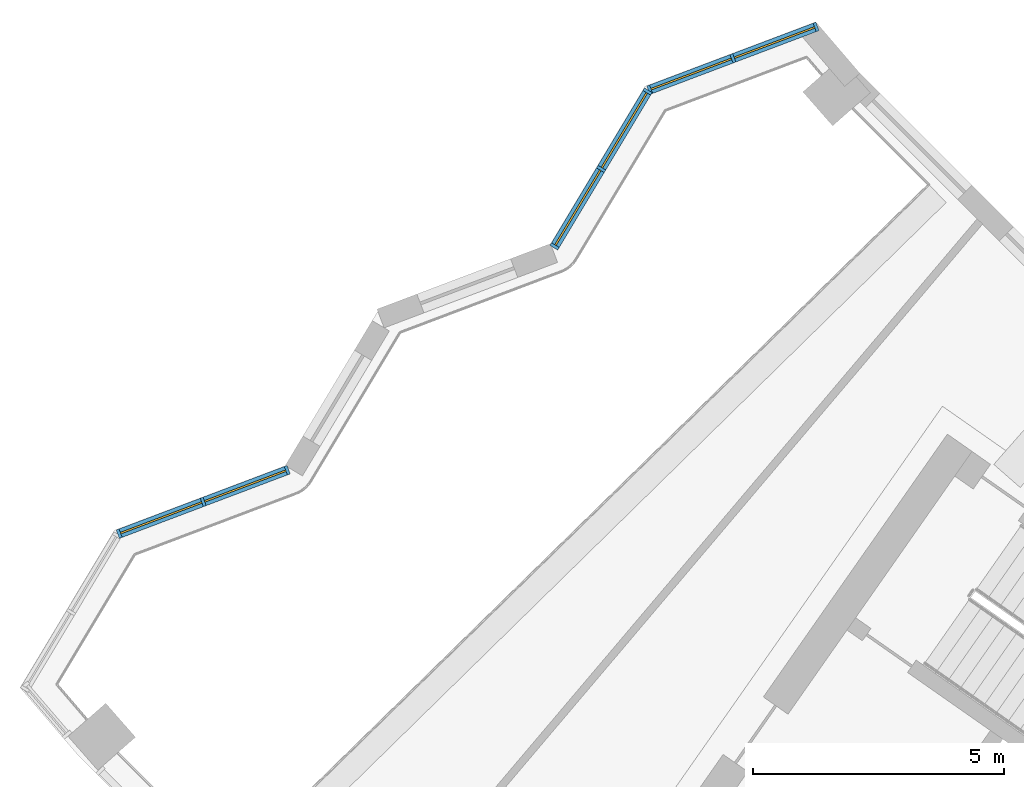
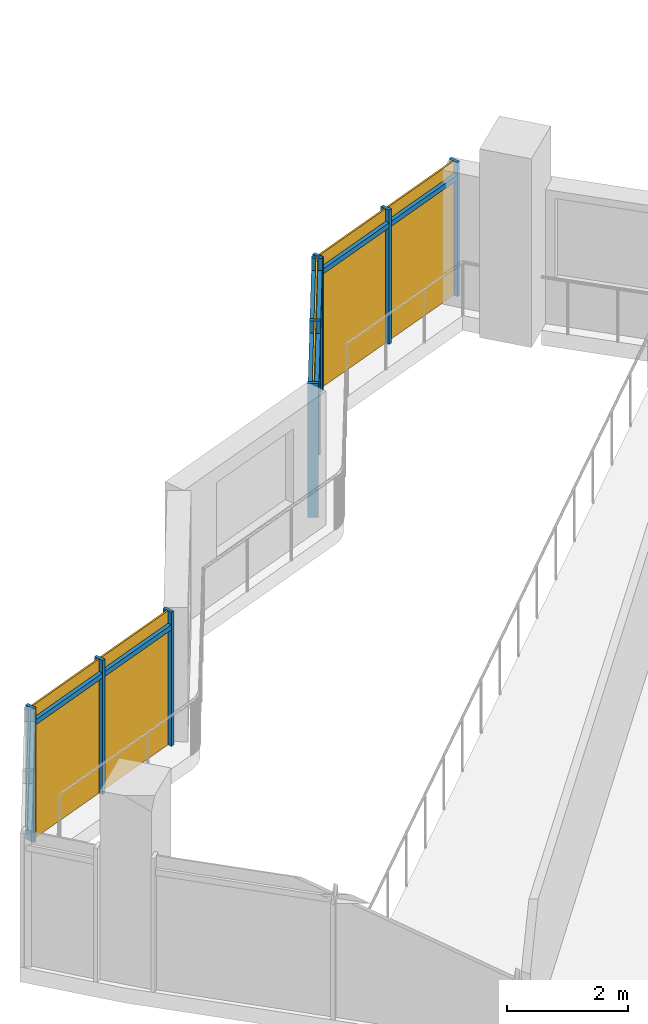
# One storey, part 20 of 29: 15 members, 3 curtain walls.
"""IFC4 building model written with IfcOpenShell, lengths in metres."""

import ifcopenshell
import ifcopenshell.guid

model = None  # the IFC model being written
_history = None  # IfcOwnerHistory: only IFC2X3 demands one
_inside = {}  # id of a spatial element -> (the spatial element, [elements in it])
_under = {}  # id of a project, library or spatial element -> (it, [spatial elements below it])
_declared = {}  # id of a project -> (the project, [libraries it declares])
_typed = {}  # id of a type object -> (the type object, [elements of that type])
_made_of = {}  # id of a material, layer set ... -> (it, [elements and type objects made of it])


def new_model(schema):
    """Start an empty IFC model of exactly this schema.

    Asked for "IFC4X3", IfcOpenShell would pick the latest addendum, in which some entities
    have other attributes; the version numbers below select the first issue.
    IFC2X3 requires an IfcOwnerHistory on every rooted entity: one is made here for all.
    """
    global model, _history
    if schema == "IFC4X3":
        model = ifcopenshell.file(schema_version=(4, 3, 0, 0))
    else:
        model = ifcopenshell.file(schema=schema)
    _inside.clear()
    _under.clear()
    _declared.clear()
    _typed.clear()
    _made_of.clear()
    _history = None
    if model.schema == "IFC2X3":
        org = make("IfcOrganization", Name="unknown")
        user = make(
            "IfcPersonAndOrganization",
            ThePerson=make("IfcPerson", FamilyName="unknown"),
            TheOrganization=org,
        )
        app = make(
            "IfcApplication",
            ApplicationDeveloper=org,
            Version="unknown",
            ApplicationFullName="unknown",
            ApplicationIdentifier="unknown",
        )
        _history = make(
            "IfcOwnerHistory",
            OwningUser=user,
            OwningApplication=app,
            ChangeAction="ADDED",
            CreationDate=0,
        )
    return model


def make(cls, **values):
    """One entity of the class cls with the attributes given. An attribute that is None is left unset."""
    return model.create_entity(
        cls, **{name: value for name, value in values.items() if value is not None}
    )


def rooted(cls, **values):
    """An entity with a GlobalId (a new one), such as an element, a storey or a relation."""
    return make(cls, GlobalId=ifcopenshell.guid.new(), OwnerHistory=_history, **values)


def si_unit(unit_type, name, prefix=None):
    """IfcSIUnit, for example si_unit("LENGTHUNIT", "METRE", prefix="MILLI")."""
    return make("IfcSIUnit", UnitType=unit_type, Prefix=prefix, Name=name)


def assignment(units):
    """IfcUnitAssignment: the units of a project."""
    return None if units is None else make("IfcUnitAssignment", Units=units)


def point(xyz):
    """IfcCartesianPoint."""
    return None if xyz is None else make("IfcCartesianPoint", Coordinates=xyz)


def direction(xyz):
    """IfcDirection."""
    return None if xyz is None else make("IfcDirection", DirectionRatios=xyz)


def frame(location, z_axis=None, x_axis=None):
    """IfcAxis2Placement3D, a coordinate frame: its origin and axes. An axis left out is left unset."""
    return make(
        "IfcAxis2Placement3D",
        Location=point(location),
        Axis=direction(z_axis),
        RefDirection=direction(x_axis),
    )


def frame_2d(location, x_axis=None):
    """IfcAxis2Placement2D, a coordinate frame in the plane: its origin and x axis."""
    return make(
        "IfcAxis2Placement2D", Location=point(location), RefDirection=direction(x_axis)
    )


def origin():
    """The frame at (0, 0, 0) with its axes left unset."""
    return frame((0.0, 0.0, 0.0))


def origin_2d():
    """The frame at (0, 0) in the plane with its x axis left unset."""
    return frame_2d((0.0, 0.0))


def place(relative_to, where):
    """IfcLocalPlacement: puts the frame where relative to a parent placement (None: the world)."""
    return make(
        "IfcLocalPlacement", PlacementRelTo=relative_to, RelativePlacement=where
    )


def context(
    kind, dimensions, precision=None, world=None, true_north=None, identifier=None
):
    """IfcGeometricRepresentationContext, for example the 3D "Model" context."""
    return make(
        "IfcGeometricRepresentationContext",
        ContextIdentifier=identifier,
        ContextType=kind,
        CoordinateSpaceDimension=dimensions,
        Precision=precision,
        WorldCoordinateSystem=world,
        TrueNorth=true_north,
    )


def subcontext(parent, identifier, kind, view, scale=None):
    """IfcGeometricRepresentationSubContext, for example "Body" below "Model"."""
    return make(
        "IfcGeometricRepresentationSubContext",
        ContextIdentifier=identifier,
        ContextType=kind,
        ParentContext=parent,
        TargetScale=scale,
        TargetView=view,
    )


def project(units=None, contexts=None):
    """IfcProject with its units and contexts."""
    return rooted(
        "IfcProject",
        Name="project",
        RepresentationContexts=contexts,
        UnitsInContext=assignment(units),
    )


def spatial(cls, under=None, at=None, **own):
    """A site, building, storey or space (cls), placed at a placement, below another one or the project."""
    s = rooted(cls, ObjectPlacement=at, **own)
    if under is not None:
        _under.setdefault(under.id(), (under, []))[1].append(s)
    return s


def profile(cls, at=None, kind="AREA", **sizes):
    """A parametric profile (cls). Its sizes go by their IFC names, for example OverallWidth=200.0."""
    return make(cls, ProfileType=kind, Position=at, **sizes)


def rectangle(**sizes):
    """IfcRectangleProfileDef."""
    return profile("IfcRectangleProfileDef", **sizes)


def extrude(swept, where, along, depth):
    """IfcExtrudedAreaSolid: the profile swept, set in the frame where, extruded along a direction by depth."""
    return make(
        "IfcExtrudedAreaSolid",
        SweptArea=swept,
        Position=where,
        ExtrudedDirection=direction(along),
        Depth=depth,
    )


def shape(context_of_items, identifier, shape_type, items):
    """IfcShapeRepresentation: the items that make up one representation, for example the "Body"."""
    return make(
        "IfcShapeRepresentation",
        ContextOfItems=context_of_items,
        RepresentationIdentifier=identifier,
        RepresentationType=shape_type,
        Items=items,
    )


def material(Name=None, Category=None):
    """IfcMaterial."""
    return make("IfcMaterial", Name=Name, Category=Category)


def material_profile(
    of_material, cross_section, Name=None, Category=None, Priority=None
):
    """IfcMaterialProfile: a cross section and its material."""
    return make(
        "IfcMaterialProfile",
        Name=Name,
        Material=of_material,
        Profile=cross_section,
        Priority=Priority,
        Category=Category,
    )


def profile_set(profiles, Name=None, composite=None):
    """IfcMaterialProfileSet."""
    return make(
        "IfcMaterialProfileSet",
        Name=Name,
        MaterialProfiles=profiles,
        CompositeProfile=composite,
    )


def made_of(thing, what):
    """Note that an element or type object is made of a material, layer set ...; save() writes the relation."""
    if what is not None:
        _made_of.setdefault(what.id(), (what, []))[1].append(thing)
    return thing


def type_object(cls, material=None, **own):
    """A type object (cls), such as IfcWallType, which elements share."""
    return made_of(rooted(cls, **own), material)


def element(
    cls,
    number,
    at=None,
    inside=None,
    cuts=None,
    type_object=None,
    material=None,
    context=None,
    identifier="Body",
    shape_type=None,
    held_by="IfcProductDefinitionShape",
    body=None,
    shapes=None,
    **own,
):
    """One element of the class cls, such as IfcWall. Its Tag is "e" and its number.

    at: its placement. inside: the storey or other place that contains it. cuts: it is an
    opening in that element (IfcRelVoidsElement). A single representation is given by context,
    identifier, shape_type and body (its items); several are given by shapes. held_by: the class
    of the entity that holds the representations. save() writes the other relations.
    """
    e = rooted(cls, Tag="e%d" % number, ObjectPlacement=at, **own)
    if body is not None:
        shapes = [shape(context, identifier, shape_type, body)]
    if shapes is not None:
        e.Representation = make(held_by, Representations=shapes)
    if inside is not None:
        _inside.setdefault(inside.id(), (inside, []))[1].append(e)
    if cuts is not None:
        rooted(
            "IfcRelVoidsElement", RelatingBuildingElement=cuts, RelatedOpeningElement=e
        )
    if type_object is not None:
        _typed.setdefault(type_object.id(), (type_object, []))[1].append(e)
    return made_of(e, material)


def aggregate(whole, parts):
    """IfcRelAggregates: a whole, such as a stair, and the parts it consists of."""
    return rooted("IfcRelAggregates", RelatingObject=whole, RelatedObjects=parts)


def save(model, path):
    """Write the relations noted so far, then the file.

    IfcRelAggregates (storeys below a building ...), IfcRelContainedInSpatialStructure (elements
    in a storey), IfcRelDefinesByType, IfcRelAssociatesMaterial and IfcRelDeclares: one each for
    every whole, place, type object, material and project.
    """
    for whole, parts in _under.values():
        aggregate(whole, parts)
    for where, things in _inside.values():
        rooted(
            "IfcRelContainedInSpatialStructure",
            RelatedElements=things,
            RelatingStructure=where,
        )
    for kind, things in _typed.values():
        rooted("IfcRelDefinesByType", RelatedObjects=things, RelatingType=kind)
    for what, things in _made_of.values():
        rooted("IfcRelAssociatesMaterial", RelatedObjects=things, RelatingMaterial=what)
    for by, libraries in _declared.values():
        rooted("IfcRelDeclares", RelatingContext=by, RelatedDefinitions=libraries)
    model.write(path)


model = new_model("IFC4")

# Units and contexts
model_context = context("Model", 3, precision=1e-05, world=origin(), true_north=direction((0.0, 1.0)))
body_context = subcontext(model_context, "Body", "Model", "MODEL_VIEW")
ifc_project = project(units=[si_unit("LENGTHUNIT", "METRE"), si_unit("AREAUNIT", "SQUARE_METRE"), si_unit("VOLUMEUNIT", "CUBIC_METRE"), si_unit("PLANEANGLEUNIT", "RADIAN"), si_unit("MASSUNIT", "GRAM", prefix="KILO")], contexts=[model_context])

# Member
ifc_material = material(Name="Aluminium 6063-T6 anodised", Category="aluminium")
ifc_material_profile_1 = material_profile(ifc_material, rectangle(XDim=0.179931640625, YDim=0.06005859375, at=origin_2d()))
ifc_profile_set_1 = profile_set([ifc_material_profile_1], Name="Aluminium 6063-T6 anodised")
member_type_1 = type_object("IfcMemberType", Name="Mullion 60 x 180 aluminium, garden", PredefinedType="MULLION", material=ifc_profile_set_1)
site_placement = place(None, origin())
building_placement = place(site_placement, origin())
storey_placement = place(building_placement, frame((0.0, 0.0, 261.89990234375)))
member_1_placement = place(storey_placement, frame((-44.20458984375, -37.10205078125, 0.0), z_axis=(0.0, 0.0, 1.0), x_axis=(0.353227368323, -0.935537506606, 0.0)))
member_1 = element("IfcMember", 1, at=member_1_placement, type_object=member_type_1, Name="e-cw4-L63-capW0/M00", PredefinedType="MULLION", context=body_context, shape_type="SweptSolid", body=[
    extrude(rectangle(XDim=0.179931640625, YDim=0.06005859375, at=origin_2d()), origin(), (0.0, 0.0, 1.0), 2.7001953125),
])

member_2_placement = place(storey_placement, frame((-45.86376953125, -37.728271484375, 0.0), z_axis=(0.0, 0.0, 1.0), x_axis=(0.353227368323, -0.935537506606, 0.0)))
member_2 = element("IfcMember", 2, at=member_2_placement, type_object=member_type_1, Name="e-cw4-L63-capW0/M01", PredefinedType="MULLION", context=body_context, shape_type="SweptSolid", body=[
    extrude(rectangle(XDim=0.179931640625, YDim=0.06005859375, at=origin_2d()), origin(), (0.0, 0.0, 1.0), 2.7001953125),
])

member_3_placement = place(storey_placement, frame((-47.522705078125, -38.354736328125, 0.0), z_axis=(0.0, 0.0, 1.0), x_axis=(0.353227368323, -0.935537506606, 0.0)))
member_3 = element("IfcMember", 3, at=member_3_placement, type_object=member_type_1, Name="e-cw4-L63-capW0/M02", PredefinedType="MULLION", context=body_context, shape_type="SweptSolid", body=[
    extrude(rectangle(XDim=0.179931640625, YDim=0.06005859375, at=origin_2d()), origin(), (0.0, 0.0, 1.0), 2.7001953125),
])

member_4_placement = place(storey_placement, frame((-47.566162109375, -38.39111328125, 0.0), z_axis=(0.0, 0.0, 1.0), x_axis=(0.85753512469, -0.514425417259, 0.0)))
member_4 = element("IfcMember", 4, at=member_4_placement, type_object=member_type_1, Name="e-cw4-L63-capW1/M00", PredefinedType="MULLION", context=body_context, shape_type="SweptSolid", body=[
    extrude(rectangle(XDim=0.179931640625, YDim=0.06005859375, at=origin_2d()), origin(), (0.0, 0.0, 1.0), 2.7001953125),
])

member_5_placement = place(storey_placement, frame((-48.4931640625, -39.936279296875, 0.0), z_axis=(0.0, 0.0, 1.0), x_axis=(0.85753512469, -0.514425417259, 0.0)))
member_5 = element("IfcMember", 5, at=member_5_placement, type_object=member_type_1, Name="e-cw4-L63-capW1/M01", PredefinedType="MULLION", context=body_context, shape_type="SweptSolid", body=[
    extrude(rectangle(XDim=0.179931640625, YDim=0.06005859375, at=origin_2d()), origin(), (0.0, 0.0, 1.0), 2.7001953125),
])

member_6_placement = place(storey_placement, frame((-49.420166015625, -41.4814453125, 0.0), z_axis=(0.0, 0.0, 1.0), x_axis=(0.85753512469, -0.514425417259, 0.0)))
member_6 = element("IfcMember", 6, at=member_6_placement, type_object=member_type_1, Name="e-cw4-L63-capW1/M02", PredefinedType="MULLION", context=body_context, shape_type="SweptSolid", body=[
    extrude(rectangle(XDim=0.179931640625, YDim=0.06005859375, at=origin_2d()), origin(), (0.0, 0.0, 1.0), 2.7001953125),
])

member_7_placement = place(storey_placement, frame((-54.75537109375, -45.946044921875, 0.0), z_axis=(0.0, 0.0, 1.0), x_axis=(0.353404777228, -0.935470503775, 0.0)))
member_7 = element("IfcMember", 7, at=member_7_placement, type_object=member_type_1, Name="e-cw4-L63-capW4/M00", PredefinedType="MULLION", context=body_context, shape_type="SweptSolid", body=[
    extrude(rectangle(XDim=0.179931640625, YDim=0.06005859375, at=origin_2d()), origin(), (0.0, 0.0, 1.0), 2.7001953125),
])

member_8_placement = place(storey_placement, frame((-56.431396484375, -46.579345703125, 0.0), z_axis=(0.0, 0.0, 1.0), x_axis=(0.353404777228, -0.935470503775, 0.0)))
member_8 = element("IfcMember", 8, at=member_8_placement, type_object=member_type_1, Name="e-cw4-L63-capW4/M01", PredefinedType="MULLION", context=body_context, shape_type="SweptSolid", body=[
    extrude(rectangle(XDim=0.179931640625, YDim=0.06005859375, at=origin_2d()), origin(), (0.0, 0.0, 1.0), 2.7001953125),
])

member_9_placement = place(storey_placement, frame((-58.107666015625, -47.21240234375, 0.0), z_axis=(0.0, 0.0, 1.0), x_axis=(0.353404777228, -0.935470503775, 0.0)))
member_9 = element("IfcMember", 9, at=member_9_placement, type_object=member_type_1, Name="e-cw4-L63-capW4/M02", PredefinedType="MULLION", context=body_context, shape_type="SweptSolid", body=[
    extrude(rectangle(XDim=0.179931640625, YDim=0.06005859375, at=origin_2d()), origin(), (0.0, 0.0, 1.0), 2.7001953125),
])

ifc_material_profile_2 = material_profile(ifc_material, rectangle(XDim=0.179931640625, YDim=0.10009765625, at=origin_2d()))
ifc_profile_set_2 = profile_set([ifc_material_profile_2], Name="Aluminium 6063-T6 anodised")
member_type_2 = type_object("IfcMemberType", Name="Transom 100 x 180 aluminium, garden", PredefinedType="USERDEFINED", material=ifc_profile_set_2)
member_10_placement = place(storey_placement, frame((-44.232666015625, -37.112548828125, 2.400146484375), z_axis=(-0.93554220832, -0.353214915386, 0.0), x_axis=(0.353214915386, -0.93554220832, 0.0)))
member_10 = element("IfcMember", 10, at=member_10_placement, type_object=member_type_2, Name="e-cw4-L63-capW0/T00", ObjectType="TRANSOM", PredefinedType="USERDEFINED", context=body_context, shape_type="SweptSolid", body=[
    extrude(rectangle(XDim=0.179931640625, YDim=0.10009765625, at=origin_2d()), origin(), (0.0, 0.0, 1.0), 1.71337890625),
])

member_11_placement = place(storey_placement, frame((-45.8916015625, -37.739013671875, 2.400146484375), z_axis=(-0.93554220832, -0.353214915386, 0.0), x_axis=(0.353214915386, -0.93554220832, 0.0)))
member_11 = element("IfcMember", 11, at=member_11_placement, type_object=member_type_2, Name="e-cw4-L63-capW0/T01", ObjectType="TRANSOM", PredefinedType="USERDEFINED", context=body_context, shape_type="SweptSolid", body=[
    extrude(rectangle(XDim=0.179931640625, YDim=0.10009765625, at=origin_2d()), origin(), (0.0, 0.0, 1.0), 1.71337890625),
])

member_12_placement = place(storey_placement, frame((-47.581787109375, -38.416748046875, 2.400146484375), z_axis=(-0.514351475813, -0.857579476975, 0.0), x_axis=(0.857579476975, -0.514351475813, 0.0)))
member_12 = element("IfcMember", 12, at=member_12_placement, type_object=member_type_2, Name="e-cw4-L63-capW1/T00", ObjectType="TRANSOM", PredefinedType="USERDEFINED", context=body_context, shape_type="SweptSolid", body=[
    extrude(rectangle(XDim=0.179931640625, YDim=0.10009765625, at=origin_2d()), origin(), (0.0, 0.0, 1.0), 1.741943359375),
])

member_13_placement = place(storey_placement, frame((-48.508544921875, -39.9619140625, 2.400146484375), z_axis=(-0.514454537138, -0.857517655339, 0.0), x_axis=(0.857517655339, -0.514454537138, 0.0)))
member_13 = element("IfcMember", 13, at=member_13_placement, type_object=member_type_2, Name="e-cw4-L63-capW1/T01", ObjectType="TRANSOM", PredefinedType="USERDEFINED", context=body_context, shape_type="SweptSolid", body=[
    extrude(rectangle(XDim=0.179931640625, YDim=0.10009765625, at=origin_2d()), origin(), (0.0, 0.0, 1.0), 1.7421875),
])

member_14_placement = place(storey_placement, frame((-54.783203125, -45.95654296875, 2.400146484375), z_axis=(-0.935468986712, -0.353408792901, 0.0), x_axis=(0.353408792901, -0.935468986712, 0.0)))
member_14 = element("IfcMember", 14, at=member_14_placement, type_object=member_type_2, Name="e-cw4-L63-capW4/T00", ObjectType="TRANSOM", PredefinedType="USERDEFINED", context=body_context, shape_type="SweptSolid", body=[
    extrude(rectangle(XDim=0.179931640625, YDim=0.10009765625, at=origin_2d()), origin(), (0.0, 0.0, 1.0), 1.73193359375),
])

member_15_placement = place(storey_placement, frame((-56.45947265625, -46.58984375, 2.400146484375), z_axis=(-0.935468986712, -0.353408792901, 0.0), x_axis=(0.353408792901, -0.935468986712, 0.0)))
member_15 = element("IfcMember", 15, at=member_15_placement, type_object=member_type_2, Name="e-cw4-L63-capW4/T01", ObjectType="TRANSOM", PredefinedType="USERDEFINED", context=body_context, shape_type="SweptSolid", body=[
    extrude(rectangle(XDim=0.179931640625, YDim=0.10009765625, at=origin_2d()), origin(), (0.0, 0.0, 1.0), 1.73193359375),
])

# Site, building, storey
site = spatial("IfcSite", under=ifc_project, at=site_placement, CompositionType="ELEMENT")
building = spatial("IfcBuilding", under=site, at=building_placement, Name="Qamariyya Broadcast Tower", CompositionType="ELEMENT")
storey = spatial("IfcBuildingStorey", under=building, at=storey_placement, Name="L63", CompositionType="ELEMENT", Elevation=261.89990234375)

# Curtain wall
curtain_wall_type = type_object("IfcCurtainWallType", Name="Sky garden enclosure curtain wall", PredefinedType="NOTDEFINED", material=ifc_material)
curtain_wall_1_placement = place(storey_placement, origin())
curtain_wall_1 = element("IfcCurtainWall", 16, at=curtain_wall_1_placement, inside=storey, type_object=curtain_wall_type, Name="e-cw4-L63-capW0", PredefinedType="NOTDEFINED", context=body_context, shape_type="SweptSolid", body=[
    extrude(rectangle(XDim=1.71337890625, YDim=0.031982421875, at=origin_2d()), frame((-45.0341796875, -37.4150390625, 0.0), x_axis=(-0.935522806531, -0.353266299637, 0.0)), (0.0, 0.0, 1.0), 2.35009765625),
    extrude(rectangle(XDim=1.71337890625, YDim=0.031982421875, at=origin_2d()), frame((-45.0341796875, -37.4150390625, 2.4501953125), x_axis=(-0.935522806531, -0.353266299637, 0.0)), (0.0, 0.0, 1.0), 0.25),
    extrude(rectangle(XDim=1.71337890625, YDim=0.031982421875, at=origin_2d()), frame((-46.693115234375, -38.041748046875, 0.0), x_axis=(-0.935522806531, -0.353266299637, 0.0)), (0.0, 0.0, 1.0), 2.35009765625),
    extrude(rectangle(XDim=1.71337890625, YDim=0.031982421875, at=origin_2d()), frame((-46.693115234375, -38.041748046875, 2.4501953125), x_axis=(-0.935522806531, -0.353266299637, 0.0)), (0.0, 0.0, 1.0), 0.25),
])

aggregate(curtain_wall_1, [member_1, member_2, member_3, member_10, member_11])

curtain_wall_2_placement = place(storey_placement, origin())
curtain_wall_2 = element("IfcCurtainWall", 17, at=curtain_wall_2_placement, inside=storey, type_object=curtain_wall_type, Name="e-cw4-L63-capW1", PredefinedType="NOTDEFINED", context=body_context, shape_type="SweptSolid", body=[
    extrude(rectangle(XDim=1.741943359375, YDim=0.031982421875, at=origin_2d()), frame((-48.02978515625, -39.163818359375, 0.0), x_axis=(-0.514427158267, -0.857534080277, 0.0)), (0.0, 0.0, 1.0), 2.35009765625),
    extrude(rectangle(XDim=1.741943359375, YDim=0.031982421875, at=origin_2d()), frame((-48.02978515625, -39.163818359375, 2.4501953125), x_axis=(-0.514427158267, -0.857534080277, 0.0)), (0.0, 0.0, 1.0), 0.25),
    extrude(rectangle(XDim=1.741943359375, YDim=0.031982421875, at=origin_2d()), frame((-48.95654296875, -40.708984375, 0.0), x_axis=(-0.514427158267, -0.857534080277, 0.0)), (0.0, 0.0, 1.0), 2.35009765625),
    extrude(rectangle(XDim=1.741943359375, YDim=0.031982421875, at=origin_2d()), frame((-48.95654296875, -40.708984375, 2.4501953125), x_axis=(-0.514427158267, -0.857534080277, 0.0)), (0.0, 0.0, 1.0), 0.25),
])

aggregate(curtain_wall_2, [member_4, member_5, member_6, member_12, member_13])

curtain_wall_3_placement = place(storey_placement, origin())
curtain_wall_3 = element("IfcCurtainWall", 18, at=curtain_wall_3_placement, inside=storey, type_object=curtain_wall_type, Name="e-cw4-L63-capW4", PredefinedType="NOTDEFINED", context=body_context, shape_type="SweptSolid", body=[
    extrude(rectangle(XDim=1.73193359375, YDim=0.031982421875, at=origin_2d()), frame((-55.593505859375, -46.262451171875, 0.0), x_axis=(-0.935453386621, -0.353450083406, 0.0)), (0.0, 0.0, 1.0), 2.35009765625),
    extrude(rectangle(XDim=1.73193359375, YDim=0.031982421875, at=origin_2d()), frame((-55.593505859375, -46.262451171875, 2.4501953125), x_axis=(-0.935453386621, -0.353450083406, 0.0)), (0.0, 0.0, 1.0), 0.25),
    extrude(rectangle(XDim=1.73193359375, YDim=0.031982421875, at=origin_2d()), frame((-57.26953125, -46.89599609375, 0.0), x_axis=(-0.935453386621, -0.353450083406, 0.0)), (0.0, 0.0, 1.0), 2.35009765625),
    extrude(rectangle(XDim=1.73193359375, YDim=0.031982421875, at=origin_2d()), frame((-57.26953125, -46.89599609375, 2.4501953125), x_axis=(-0.935453386621, -0.353450083406, 0.0)), (0.0, 0.0, 1.0), 0.25),
])

aggregate(curtain_wall_3, [member_7, member_8, member_9, member_14, member_15])

save(model, "model.ifc")
